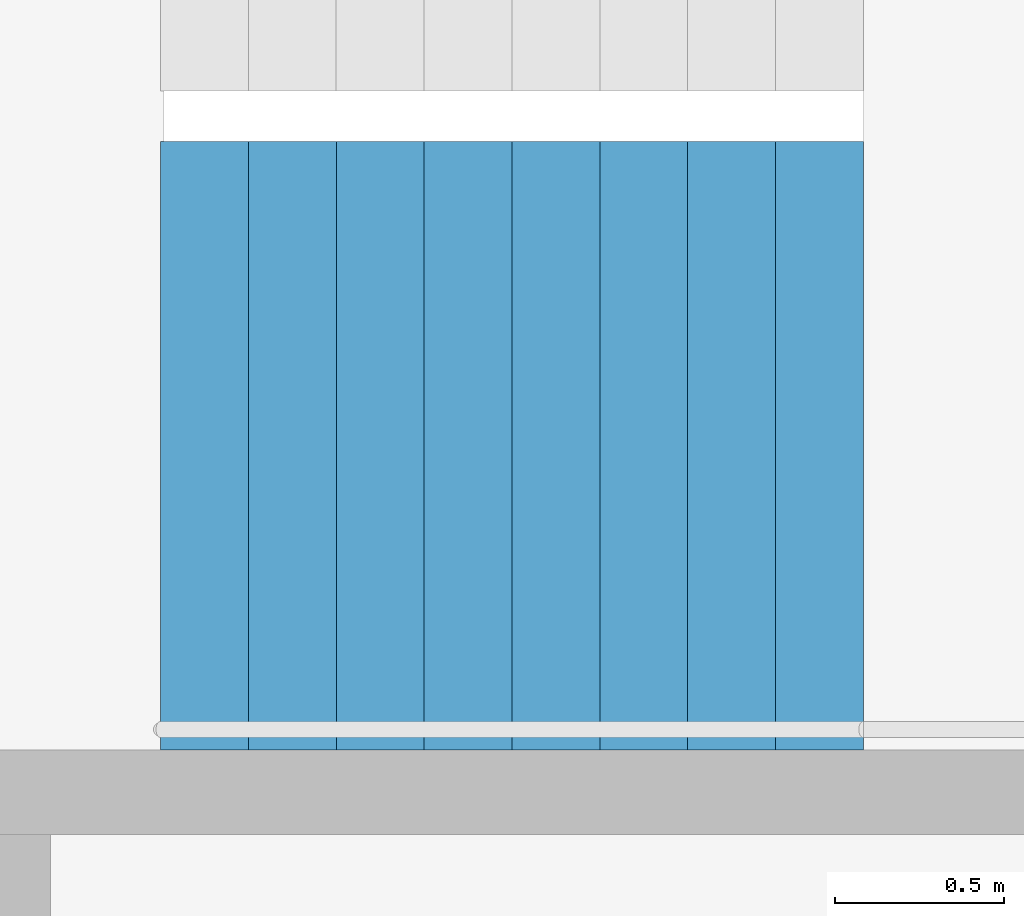
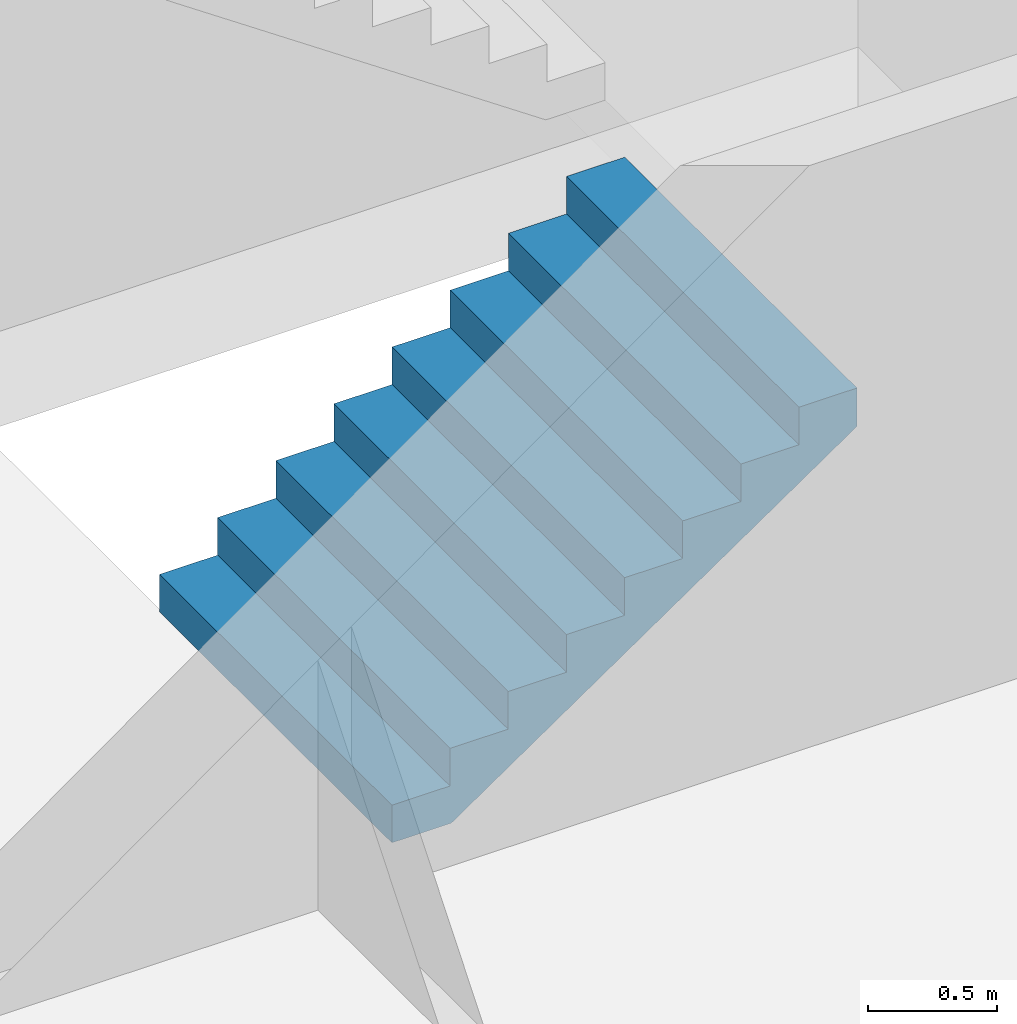
# One storey, part 20 of 26: 1 stair flight, 1 element without a shape of its own.
"""IFC4 building model written with IfcOpenShell, lengths in metres."""

from ifc_helpers import new_model, si_unit, direction, frame, origin, place, context, subcontext, project, spatial, triangles, material, type_object, element, aggregate, save


model = new_model("IFC4")

# Units and contexts
model_context = context("Model", 3, precision=1e-05, world=origin(), true_north=direction((0.0, 1.0)))
body_context = subcontext(model_context, "Body", "Model", "MODEL_VIEW")
ifc_project = project(units=[si_unit("LENGTHUNIT", "METRE"), si_unit("AREAUNIT", "SQUARE_METRE"), si_unit("VOLUMEUNIT", "CUBIC_METRE"), si_unit("PLANEANGLEUNIT", "RADIAN"), si_unit("MASSUNIT", "GRAM", prefix="KILO")], contexts=[model_context])

# Site, building, storey
site_placement = place(None, origin())
site = spatial("IfcSite", under=ifc_project, at=site_placement, CompositionType="ELEMENT")
building_placement = place(site_placement, origin())
building = spatial("IfcBuilding", under=site, at=building_placement, Name="Hakoniwa Tower and Hamabe Station Hall", CompositionType="ELEMENT")
storey_placement = place(building_placement, frame((0.0, 0.0, 131.0)))
storey = spatial("IfcBuildingStorey", under=building, at=storey_placement, Name="L36", CompositionType="ELEMENT", Elevation=131.0)

# Stair, stair flight
ifc_material_1 = material(Name="Concrete C40", Category="concrete")
stair_type = type_object("IfcStairType", Name="ESCAPE STAIR 1800", PredefinedType="HALF_TURN_STAIR", material=ifc_material_1)
stair_placement = place(storey_placement, origin())
stair = element("IfcStair", 1, at=stair_placement, inside=storey, type_object=stair_type, Name="Escape stair ST-1 L36", PredefinedType="HALF_TURN_STAIR")
ifc_material_2 = material(Name="Concrete C40", Category="concrete")
stair_flight_type = type_object("IfcStairFlightType", Name="STAIR FLIGHT 1800", PredefinedType="STRAIGHT", material=ifc_material_2)
stair_flight_placement = place(storey_placement, frame((-24.39990234375, 4.64990234375, 0.0), z_axis=(0.0, 0.0, 1.0), x_axis=(1.0, 0.0, 0.0)))
stair_flight = element("IfcStairFlight", 2, at=stair_flight_placement, type_object=stair_flight_type, Name="ST-1 flight 1", NumberOfRisers=9, NumberOfTreads=8, PredefinedType="STRAIGHT", RiserHeight=0.177777778, TreadLength=0.26, context=body_context, shape_type="Tessellation", body=[
    triangles([(0.0, 0.89990234375, 0.0), (0.260009765625, 0.89990234375, 0.0), (0.265625, 0.89990234375, 0.0), (0.52001953125, 0.89990234375, 0.174072265625), (0.780029296875, 0.89990234375, 0.351806640625), (1.0400390625, 0.89990234375, 0.529541015625), (1.300048828125, 0.89990234375, 0.707275390625), (1.56005859375, 0.89990234375, 0.885009765625), (1.820068359375, 0.89990234375, 1.062744140625), (2.080078125, 0.89990234375, 1.24072265625), (2.080078125, 0.89990234375, 1.422119140625), (1.820068359375, 0.89990234375, 1.422119140625), (1.820068359375, 0.89990234375, 1.244384765625), (1.56005859375, 0.89990234375, 1.244384765625), (1.56005859375, 0.89990234375, 1.066650390625), (1.300048828125, 0.89990234375, 1.066650390625), (1.300048828125, 0.89990234375, 0.888916015625), (1.0400390625, 0.89990234375, 0.888916015625), (1.0400390625, 0.89990234375, 0.711181640625), (0.780029296875, 0.89990234375, 0.711181640625), (0.780029296875, 0.89990234375, 0.533447265625), (0.52001953125, 0.89990234375, 0.533447265625), (0.52001953125, 0.89990234375, 0.35546875), (0.265625, 0.89990234375, 0.35546875), (0.260009765625, 0.89990234375, 0.35546875), (0.260009765625, 0.89990234375, 0.177734375), (0.0, 0.89990234375, 0.177734375), (0.0, 0.06005859375, 0.0), (0.260009765625, 0.06005859375, 0.0), (0.265625, 0.06005859375, 0.0), (0.52001953125, 0.06005859375, 0.174072265625), (0.780029296875, 0.06005859375, 0.351806640625), (1.0400390625, 0.06005859375, 0.529541015625), (1.300048828125, 0.06005859375, 0.707275390625), (1.56005859375, 0.06005859375, 0.885009765625), (1.820068359375, 0.06005859375, 1.062744140625), (2.080078125, 0.06005859375, 1.24072265625), (2.080078125, 0.06005859375, 1.422119140625), (1.820068359375, 0.06005859375, 1.422119140625), (1.820068359375, 0.06005859375, 1.244384765625), (1.56005859375, 0.06005859375, 1.244384765625), (1.56005859375, 0.06005859375, 1.066650390625), (1.300048828125, 0.06005859375, 1.066650390625), (1.300048828125, 0.06005859375, 0.888916015625), (1.0400390625, 0.06005859375, 0.888916015625), (1.0400390625, 0.06005859375, 0.711181640625), (0.780029296875, 0.06005859375, 0.711181640625), (0.780029296875, 0.06005859375, 0.533447265625), (0.52001953125, 0.06005859375, 0.533447265625), (0.52001953125, 0.06005859375, 0.35546875), (0.265625, 0.06005859375, 0.35546875), (0.260009765625, 0.06005859375, 0.35546875), (0.260009765625, 0.06005859375, 0.177734375), (0.0, 0.06005859375, 0.177734375), (0.0, 0.04296875, 0.0), (0.260009765625, 0.04296875, 0.0), (0.265625, 0.04296875, 0.0), (0.52001953125, 0.04296875, 0.174072265625), (0.780029296875, 0.04296875, 0.351806640625), (1.0400390625, 0.04296875, 0.529541015625), (1.300048828125, 0.04296875, 0.707275390625), (1.56005859375, 0.04296875, 0.885009765625), (1.820068359375, 0.04296875, 1.062744140625), (2.080078125, 0.04296875, 1.24072265625), (2.080078125, 0.04296875, 1.422119140625), (1.820068359375, 0.04296875, 1.422119140625), (1.820068359375, 0.04296875, 1.244384765625), (1.56005859375, 0.04296875, 1.244384765625), (1.56005859375, 0.04296875, 1.066650390625), (1.300048828125, 0.04296875, 1.066650390625), (1.300048828125, 0.04296875, 0.888916015625), (1.0400390625, 0.04296875, 0.888916015625), (1.0400390625, 0.04296875, 0.711181640625), (0.780029296875, 0.04296875, 0.711181640625), (0.780029296875, 0.04296875, 0.533447265625), (0.52001953125, 0.04296875, 0.533447265625), (0.52001953125, 0.04296875, 0.35546875), (0.265625, 0.04296875, 0.35546875), (0.260009765625, 0.04296875, 0.35546875), (0.260009765625, 0.04296875, 0.177734375), (0.0, 0.04296875, 0.177734375), (0.0, 0.025634765625, 0.0), (0.260009765625, 0.025634765625, 0.0), (0.265625, 0.025634765625, 0.0), (0.52001953125, 0.025634765625, 0.174072265625), (0.780029296875, 0.025634765625, 0.351806640625), (1.0400390625, 0.025634765625, 0.529541015625), (1.300048828125, 0.025634765625, 0.707275390625), (1.56005859375, 0.025634765625, 0.885009765625), (1.820068359375, 0.025634765625, 1.062744140625), (2.080078125, 0.025634765625, 1.24072265625), (2.080078125, 0.025634765625, 1.422119140625), (1.820068359375, 0.025634765625, 1.422119140625), (1.820068359375, 0.025634765625, 1.244384765625), (1.56005859375, 0.025634765625, 1.244384765625), (1.56005859375, 0.025634765625, 1.066650390625), (1.300048828125, 0.025634765625, 1.066650390625), (1.300048828125, 0.025634765625, 0.888916015625), (1.0400390625, 0.025634765625, 0.888916015625), (1.0400390625, 0.025634765625, 0.711181640625), (0.780029296875, 0.025634765625, 0.711181640625), (0.780029296875, 0.025634765625, 0.533447265625), (0.52001953125, 0.025634765625, 0.533447265625), (0.52001953125, 0.025634765625, 0.35546875), (0.265625, 0.025634765625, 0.35546875), (0.260009765625, 0.025634765625, 0.35546875), (0.260009765625, 0.025634765625, 0.177734375), (0.0, 0.025634765625, 0.177734375), (0.0, 0.008544921875, 0.0), (0.260009765625, 0.008544921875, 0.0), (0.265625, 0.008544921875, 0.0), (0.52001953125, 0.008544921875, 0.174072265625), (0.780029296875, 0.008544921875, 0.351806640625), (1.0400390625, 0.008544921875, 0.529541015625), (1.300048828125, 0.008544921875, 0.707275390625), (1.56005859375, 0.008544921875, 0.885009765625), (1.820068359375, 0.008544921875, 1.062744140625), (2.080078125, 0.008544921875, 1.24072265625), (2.080078125, 0.008544921875, 1.422119140625), (1.820068359375, 0.008544921875, 1.422119140625), (1.820068359375, 0.008544921875, 1.244384765625), (1.56005859375, 0.008544921875, 1.244384765625), (1.56005859375, 0.008544921875, 1.066650390625), (1.300048828125, 0.008544921875, 1.066650390625), (1.300048828125, 0.008544921875, 0.888916015625), (1.0400390625, 0.008544921875, 0.888916015625), (1.0400390625, 0.008544921875, 0.711181640625), (0.780029296875, 0.008544921875, 0.711181640625), (0.780029296875, 0.008544921875, 0.533447265625), (0.52001953125, 0.008544921875, 0.533447265625), (0.52001953125, 0.008544921875, 0.35546875), (0.265625, 0.008544921875, 0.35546875), (0.260009765625, 0.008544921875, 0.35546875), (0.260009765625, 0.008544921875, 0.177734375), (0.0, 0.008544921875, 0.177734375), (0.0, -0.008544921875, 0.0), (0.260009765625, -0.008544921875, 0.0), (0.265625, -0.008544921875, 0.0), (0.52001953125, -0.008544921875, 0.174072265625), (0.780029296875, -0.008544921875, 0.351806640625), (1.0400390625, -0.008544921875, 0.529541015625), (1.300048828125, -0.008544921875, 0.707275390625), (1.56005859375, -0.008544921875, 0.885009765625), (1.820068359375, -0.008544921875, 1.062744140625), (2.080078125, -0.008544921875, 1.24072265625), (2.080078125, -0.008544921875, 1.422119140625), (1.820068359375, -0.008544921875, 1.422119140625), (1.820068359375, -0.008544921875, 1.244384765625), (1.56005859375, -0.008544921875, 1.244384765625), (1.56005859375, -0.008544921875, 1.066650390625), (1.300048828125, -0.008544921875, 1.066650390625), (1.300048828125, -0.008544921875, 0.888916015625), (1.0400390625, -0.008544921875, 0.888916015625), (1.0400390625, -0.008544921875, 0.711181640625), (0.780029296875, -0.008544921875, 0.711181640625), (0.780029296875, -0.008544921875, 0.533447265625), (0.52001953125, -0.008544921875, 0.533447265625), (0.52001953125, -0.008544921875, 0.35546875), (0.265625, -0.008544921875, 0.35546875), (0.260009765625, -0.008544921875, 0.35546875), (0.260009765625, -0.008544921875, 0.177734375), (0.0, -0.008544921875, 0.177734375), (0.0, -0.025634765625, 0.0), (0.260009765625, -0.025634765625, 0.0), (0.265625, -0.025634765625, 0.0), (0.52001953125, -0.025634765625, 0.174072265625), (0.780029296875, -0.025634765625, 0.351806640625), (1.0400390625, -0.025634765625, 0.529541015625), (1.300048828125, -0.025634765625, 0.707275390625), (1.56005859375, -0.025634765625, 0.885009765625), (1.820068359375, -0.025634765625, 1.062744140625), (2.080078125, -0.025634765625, 1.24072265625), (2.080078125, -0.025634765625, 1.422119140625), (1.820068359375, -0.025634765625, 1.422119140625), (1.820068359375, -0.025634765625, 1.244384765625), (1.56005859375, -0.025634765625, 1.244384765625), (1.56005859375, -0.025634765625, 1.066650390625), (1.300048828125, -0.025634765625, 1.066650390625), (1.300048828125, -0.025634765625, 0.888916015625), (1.0400390625, -0.025634765625, 0.888916015625), (1.0400390625, -0.025634765625, 0.711181640625), (0.780029296875, -0.025634765625, 0.711181640625), (0.780029296875, -0.025634765625, 0.533447265625), (0.52001953125, -0.025634765625, 0.533447265625), (0.52001953125, -0.025634765625, 0.35546875), (0.265625, -0.025634765625, 0.35546875), (0.260009765625, -0.025634765625, 0.35546875), (0.260009765625, -0.025634765625, 0.177734375), (0.0, -0.025634765625, 0.177734375), (0.0, -0.04296875, 0.0), (0.260009765625, -0.04296875, 0.0), (0.265625, -0.04296875, 0.0), (0.52001953125, -0.04296875, 0.174072265625), (0.780029296875, -0.04296875, 0.351806640625), (1.0400390625, -0.04296875, 0.529541015625), (1.300048828125, -0.04296875, 0.707275390625), (1.56005859375, -0.04296875, 0.885009765625), (1.820068359375, -0.04296875, 1.062744140625), (2.080078125, -0.04296875, 1.24072265625), (2.080078125, -0.04296875, 1.422119140625), (1.820068359375, -0.04296875, 1.422119140625), (1.820068359375, -0.04296875, 1.244384765625), (1.56005859375, -0.04296875, 1.244384765625), (1.56005859375, -0.04296875, 1.066650390625), (1.300048828125, -0.04296875, 1.066650390625), (1.300048828125, -0.04296875, 0.888916015625), (1.0400390625, -0.04296875, 0.888916015625), (1.0400390625, -0.04296875, 0.711181640625), (0.780029296875, -0.04296875, 0.711181640625), (0.780029296875, -0.04296875, 0.533447265625), (0.52001953125, -0.04296875, 0.533447265625), (0.52001953125, -0.04296875, 0.35546875), (0.265625, -0.04296875, 0.35546875), (0.260009765625, -0.04296875, 0.35546875), (0.260009765625, -0.04296875, 0.177734375), (0.0, -0.04296875, 0.177734375), (0.0, -0.06005859375, 0.0), (0.260009765625, -0.06005859375, 0.0), (0.265625, -0.06005859375, 0.0), (0.52001953125, -0.06005859375, 0.174072265625), (0.780029296875, -0.06005859375, 0.351806640625), (1.0400390625, -0.06005859375, 0.529541015625), (1.300048828125, -0.06005859375, 0.707275390625), (1.56005859375, -0.06005859375, 0.885009765625), (1.820068359375, -0.06005859375, 1.062744140625), (2.080078125, -0.06005859375, 1.24072265625), (2.080078125, -0.06005859375, 1.422119140625), (1.820068359375, -0.06005859375, 1.422119140625), (1.820068359375, -0.06005859375, 1.244384765625), (1.56005859375, -0.06005859375, 1.244384765625), (1.56005859375, -0.06005859375, 1.066650390625), (1.300048828125, -0.06005859375, 1.066650390625), (1.300048828125, -0.06005859375, 0.888916015625), (1.0400390625, -0.06005859375, 0.888916015625), (1.0400390625, -0.06005859375, 0.711181640625), (0.780029296875, -0.06005859375, 0.711181640625), (0.780029296875, -0.06005859375, 0.533447265625), (0.52001953125, -0.06005859375, 0.533447265625), (0.52001953125, -0.06005859375, 0.35546875), (0.265625, -0.06005859375, 0.35546875), (0.260009765625, -0.06005859375, 0.35546875), (0.260009765625, -0.06005859375, 0.177734375), (0.0, -0.06005859375, 0.177734375), (0.0, -0.89990234375, 0.0), (0.260009765625, -0.89990234375, 0.0), (0.265625, -0.89990234375, 0.0), (0.52001953125, -0.89990234375, 0.174072265625), (0.780029296875, -0.89990234375, 0.351806640625), (1.0400390625, -0.89990234375, 0.529541015625), (1.300048828125, -0.89990234375, 0.707275390625), (1.56005859375, -0.89990234375, 0.885009765625), (1.820068359375, -0.89990234375, 1.062744140625), (2.080078125, -0.89990234375, 1.24072265625), (2.080078125, -0.89990234375, 1.422119140625), (1.820068359375, -0.89990234375, 1.422119140625), (1.820068359375, -0.89990234375, 1.244384765625), (1.56005859375, -0.89990234375, 1.244384765625), (1.56005859375, -0.89990234375, 1.066650390625), (1.300048828125, -0.89990234375, 1.066650390625), (1.300048828125, -0.89990234375, 0.888916015625), (1.0400390625, -0.89990234375, 0.888916015625), (1.0400390625, -0.89990234375, 0.711181640625), (0.780029296875, -0.89990234375, 0.711181640625), (0.780029296875, -0.89990234375, 0.533447265625), (0.52001953125, -0.89990234375, 0.533447265625), (0.52001953125, -0.89990234375, 0.35546875), (0.265625, -0.89990234375, 0.35546875), (0.260009765625, -0.89990234375, 0.35546875), (0.260009765625, -0.89990234375, 0.177734375), (0.0, -0.89990234375, 0.177734375)], [[2, 27, 26], [245, 269, 270], [2, 1, 27], [245, 270, 244], [3, 25, 24], [246, 267, 268], [3, 26, 25], [246, 268, 269], [3, 2, 26], [246, 269, 245], [4, 24, 23], [247, 266, 267], [4, 3, 24], [247, 267, 246], [5, 22, 21], [248, 264, 265], [5, 23, 22], [248, 265, 266], [5, 4, 23], [248, 266, 247], [6, 20, 19], [249, 262, 263], [6, 21, 20], [249, 263, 264], [6, 5, 21], [249, 264, 248], [7, 18, 17], [250, 260, 261], [7, 19, 18], [250, 261, 262], [7, 6, 19], [250, 262, 249], [8, 16, 15], [251, 258, 259], [8, 17, 16], [251, 259, 260], [8, 7, 17], [251, 260, 250], [9, 14, 13], [252, 256, 257], [9, 15, 14], [252, 257, 258], [9, 8, 15], [252, 258, 251], [10, 12, 11], [253, 254, 255], [10, 13, 12], [253, 255, 256], [10, 9, 13], [253, 256, 252], [1, 2, 29], [1, 29, 28], [28, 29, 56], [28, 56, 55], [55, 56, 83], [55, 83, 82], [82, 83, 110], [82, 110, 109], [109, 110, 137], [109, 137, 136], [136, 137, 164], [136, 164, 163], [163, 164, 191], [163, 191, 190], [190, 191, 218], [190, 218, 217], [217, 218, 245], [217, 245, 244], [2, 3, 30], [2, 30, 29], [29, 30, 57], [29, 57, 56], [56, 57, 84], [56, 84, 83], [83, 84, 111], [83, 111, 110], [110, 111, 138], [110, 138, 137], [137, 138, 165], [137, 165, 164], [164, 165, 192], [164, 192, 191], [191, 192, 219], [191, 219, 218], [218, 219, 246], [218, 246, 245], [3, 4, 31], [3, 31, 30], [30, 31, 58], [30, 58, 57], [57, 58, 85], [57, 85, 84], [84, 85, 112], [84, 112, 111], [111, 112, 139], [111, 139, 138], [138, 139, 166], [138, 166, 165], [165, 166, 193], [165, 193, 192], [192, 193, 220], [192, 220, 219], [219, 220, 247], [219, 247, 246], [4, 5, 32], [4, 32, 31], [31, 32, 59], [31, 59, 58], [58, 59, 86], [58, 86, 85], [85, 86, 113], [85, 113, 112], [112, 113, 140], [112, 140, 139], [139, 140, 167], [139, 167, 166], [166, 167, 194], [166, 194, 193], [193, 194, 221], [193, 221, 220], [220, 221, 248], [220, 248, 247], [5, 6, 33], [5, 33, 32], [32, 33, 60], [32, 60, 59], [59, 60, 87], [59, 87, 86], [86, 87, 114], [86, 114, 113], [113, 114, 141], [113, 141, 140], [140, 141, 168], [140, 168, 167], [167, 168, 195], [167, 195, 194], [194, 195, 222], [194, 222, 221], [221, 222, 249], [221, 249, 248], [6, 7, 34], [6, 34, 33], [33, 34, 61], [33, 61, 60], [60, 61, 88], [60, 88, 87], [87, 88, 115], [87, 115, 114], [114, 115, 142], [114, 142, 141], [141, 142, 169], [141, 169, 168], [168, 169, 196], [168, 196, 195], [195, 196, 223], [195, 223, 222], [222, 223, 250], [222, 250, 249], [7, 8, 35], [7, 35, 34], [34, 35, 62], [34, 62, 61], [61, 62, 89], [61, 89, 88], [88, 89, 116], [88, 116, 115], [115, 116, 143], [115, 143, 142], [142, 143, 170], [142, 170, 169], [169, 170, 197], [169, 197, 196], [196, 197, 224], [196, 224, 223], [223, 224, 251], [223, 251, 250], [8, 9, 36], [8, 36, 35], [35, 36, 63], [35, 63, 62], [62, 63, 90], [62, 90, 89], [89, 90, 117], [89, 117, 116], [116, 117, 144], [116, 144, 143], [143, 144, 171], [143, 171, 170], [170, 171, 198], [170, 198, 197], [197, 198, 225], [197, 225, 224], [224, 225, 252], [224, 252, 251], [9, 10, 37], [9, 37, 36], [36, 37, 64], [36, 64, 63], [63, 64, 91], [63, 91, 90], [90, 91, 118], [90, 118, 117], [117, 118, 145], [117, 145, 144], [144, 145, 172], [144, 172, 171], [171, 172, 199], [171, 199, 198], [198, 199, 226], [198, 226, 225], [225, 226, 253], [225, 253, 252], [10, 11, 38], [10, 38, 37], [37, 38, 65], [37, 65, 64], [64, 65, 92], [64, 92, 91], [91, 92, 119], [91, 119, 118], [118, 119, 146], [118, 146, 145], [145, 146, 173], [145, 173, 172], [172, 173, 200], [172, 200, 199], [199, 200, 227], [199, 227, 226], [226, 227, 254], [226, 254, 253], [11, 12, 39], [11, 39, 38], [38, 39, 66], [38, 66, 65], [65, 66, 93], [65, 93, 92], [92, 93, 120], [92, 120, 119], [119, 120, 147], [119, 147, 146], [146, 147, 174], [146, 174, 173], [173, 174, 201], [173, 201, 200], [200, 201, 228], [200, 228, 227], [227, 228, 255], [227, 255, 254], [12, 13, 40], [12, 40, 39], [39, 40, 67], [39, 67, 66], [66, 67, 94], [66, 94, 93], [93, 94, 121], [93, 121, 120], [120, 121, 148], [120, 148, 147], [147, 148, 175], [147, 175, 174], [174, 175, 202], [174, 202, 201], [201, 202, 229], [201, 229, 228], [228, 229, 256], [228, 256, 255], [13, 14, 41], [13, 41, 40], [40, 41, 68], [40, 68, 67], [67, 68, 95], [67, 95, 94], [94, 95, 122], [94, 122, 121], [121, 122, 149], [121, 149, 148], [148, 149, 176], [148, 176, 175], [175, 176, 203], [175, 203, 202], [202, 203, 230], [202, 230, 229], [229, 230, 257], [229, 257, 256], [14, 15, 42], [14, 42, 41], [41, 42, 69], [41, 69, 68], [68, 69, 96], [68, 96, 95], [95, 96, 123], [95, 123, 122], [122, 123, 150], [122, 150, 149], [149, 150, 177], [149, 177, 176], [176, 177, 204], [176, 204, 203], [203, 204, 231], [203, 231, 230], [230, 231, 258], [230, 258, 257], [15, 16, 43], [15, 43, 42], [42, 43, 70], [42, 70, 69], [69, 70, 97], [69, 97, 96], [96, 97, 124], [96, 124, 123], [123, 124, 151], [123, 151, 150], [150, 151, 178], [150, 178, 177], [177, 178, 205], [177, 205, 204], [204, 205, 232], [204, 232, 231], [231, 232, 259], [231, 259, 258], [16, 17, 44], [16, 44, 43], [43, 44, 71], [43, 71, 70], [70, 71, 98], [70, 98, 97], [97, 98, 125], [97, 125, 124], [124, 125, 152], [124, 152, 151], [151, 152, 179], [151, 179, 178], [178, 179, 206], [178, 206, 205], [205, 206, 233], [205, 233, 232], [232, 233, 260], [232, 260, 259], [17, 18, 45], [17, 45, 44], [44, 45, 72], [44, 72, 71], [71, 72, 99], [71, 99, 98], [98, 99, 126], [98, 126, 125], [125, 126, 153], [125, 153, 152], [152, 153, 180], [152, 180, 179], [179, 180, 207], [179, 207, 206], [206, 207, 234], [206, 234, 233], [233, 234, 261], [233, 261, 260], [18, 19, 46], [18, 46, 45], [45, 46, 73], [45, 73, 72], [72, 73, 100], [72, 100, 99], [99, 100, 127], [99, 127, 126], [126, 127, 154], [126, 154, 153], [153, 154, 181], [153, 181, 180], [180, 181, 208], [180, 208, 207], [207, 208, 235], [207, 235, 234], [234, 235, 262], [234, 262, 261], [19, 20, 47], [19, 47, 46], [46, 47, 74], [46, 74, 73], [73, 74, 101], [73, 101, 100], [100, 101, 128], [100, 128, 127], [127, 128, 155], [127, 155, 154], [154, 155, 182], [154, 182, 181], [181, 182, 209], [181, 209, 208], [208, 209, 236], [208, 236, 235], [235, 236, 263], [235, 263, 262], [20, 21, 48], [20, 48, 47], [47, 48, 75], [47, 75, 74], [74, 75, 102], [74, 102, 101], [101, 102, 129], [101, 129, 128], [128, 129, 156], [128, 156, 155], [155, 156, 183], [155, 183, 182], [182, 183, 210], [182, 210, 209], [209, 210, 237], [209, 237, 236], [236, 237, 264], [236, 264, 263], [21, 22, 49], [21, 49, 48], [48, 49, 76], [48, 76, 75], [75, 76, 103], [75, 103, 102], [102, 103, 130], [102, 130, 129], [129, 130, 157], [129, 157, 156], [156, 157, 184], [156, 184, 183], [183, 184, 211], [183, 211, 210], [210, 211, 238], [210, 238, 237], [237, 238, 265], [237, 265, 264], [22, 23, 50], [22, 50, 49], [49, 50, 77], [49, 77, 76], [76, 77, 104], [76, 104, 103], [103, 104, 131], [103, 131, 130], [130, 131, 158], [130, 158, 157], [157, 158, 185], [157, 185, 184], [184, 185, 212], [184, 212, 211], [211, 212, 239], [211, 239, 238], [238, 239, 266], [238, 266, 265], [23, 24, 51], [23, 51, 50], [50, 51, 78], [50, 78, 77], [77, 78, 105], [77, 105, 104], [104, 105, 132], [104, 132, 131], [131, 132, 159], [131, 159, 158], [158, 159, 186], [158, 186, 185], [185, 186, 213], [185, 213, 212], [212, 213, 240], [212, 240, 239], [239, 240, 267], [239, 267, 266], [24, 25, 52], [24, 52, 51], [51, 52, 79], [51, 79, 78], [78, 79, 106], [78, 106, 105], [105, 106, 133], [105, 133, 132], [132, 133, 160], [132, 160, 159], [159, 160, 187], [159, 187, 186], [186, 187, 214], [186, 214, 213], [213, 214, 241], [213, 241, 240], [240, 241, 268], [240, 268, 267], [25, 26, 53], [25, 53, 52], [52, 53, 80], [52, 80, 79], [79, 80, 107], [79, 107, 106], [106, 107, 134], [106, 134, 133], [133, 134, 161], [133, 161, 160], [160, 161, 188], [160, 188, 187], [187, 188, 215], [187, 215, 214], [214, 215, 242], [214, 242, 241], [241, 242, 269], [241, 269, 268], [26, 27, 54], [26, 54, 53], [53, 54, 81], [53, 81, 80], [80, 81, 108], [80, 108, 107], [107, 108, 135], [107, 135, 134], [134, 135, 162], [134, 162, 161], [161, 162, 189], [161, 189, 188], [188, 189, 216], [188, 216, 215], [215, 216, 243], [215, 243, 242], [242, 243, 270], [242, 270, 269], [27, 1, 28], [27, 28, 54], [54, 28, 55], [54, 55, 81], [81, 55, 82], [81, 82, 108], [108, 82, 109], [108, 109, 135], [135, 109, 136], [135, 136, 162], [162, 136, 163], [162, 163, 189], [189, 163, 190], [189, 190, 216], [216, 190, 217], [216, 217, 243], [243, 217, 244], [243, 244, 270]], closed=True),
])
aggregate(stair, [stair_flight])

save(model, "model.ifc")
